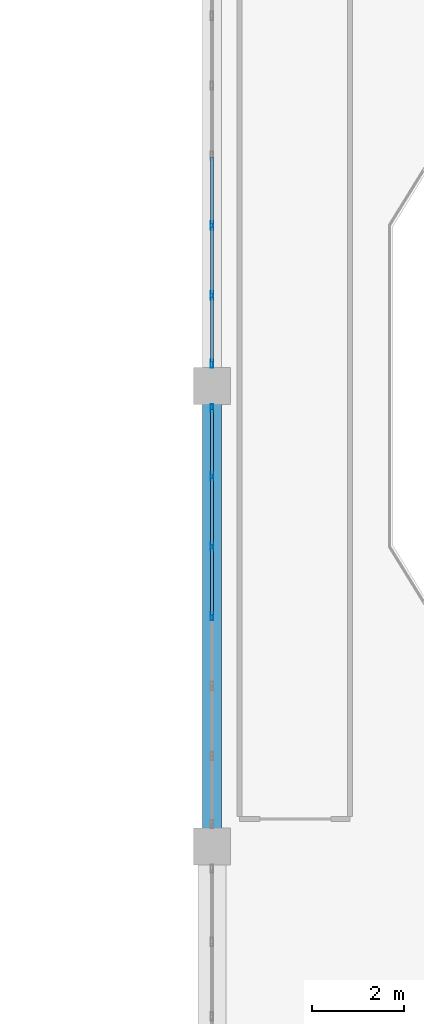
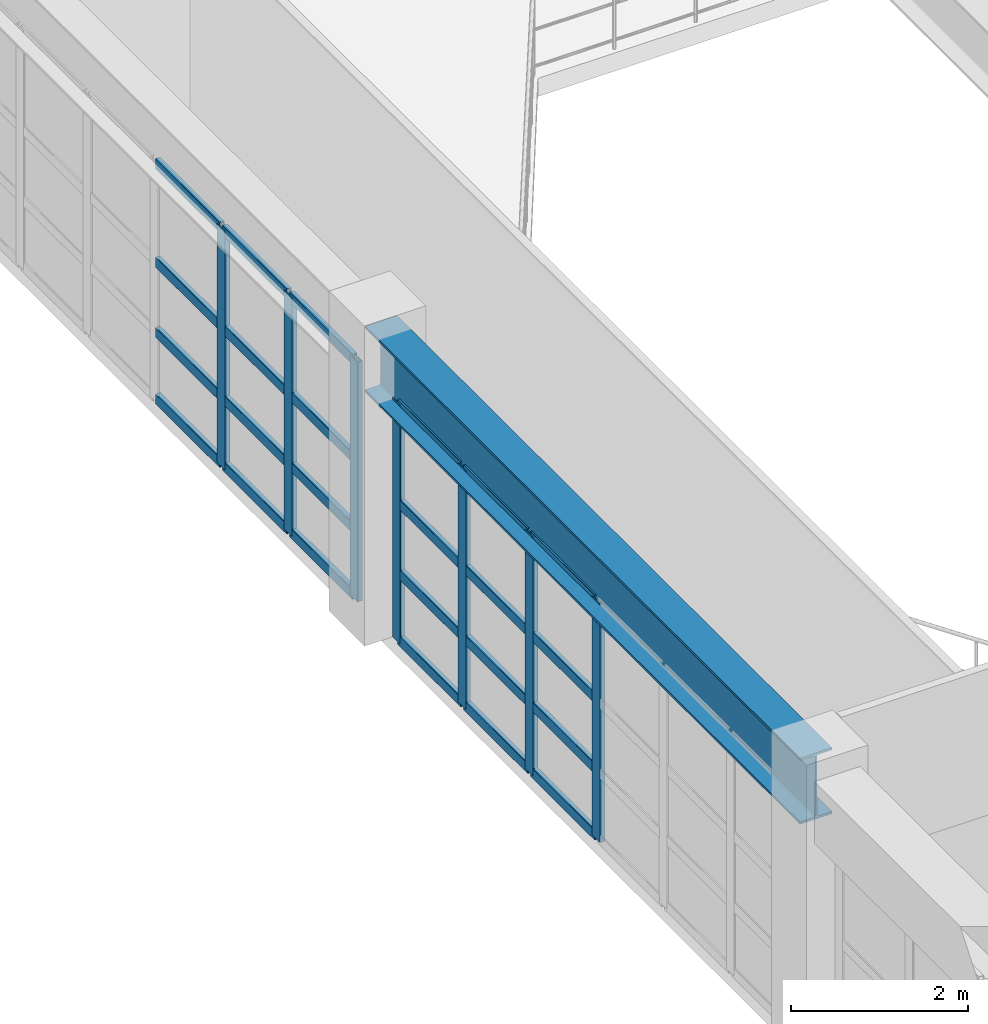
# One storey, part 40 of 133: 31 members, 1 beam, 2 elements without a shape of their own.
"""IFC4 building model written with IfcOpenShell, lengths in metres."""

from ifc_helpers import new_model, si_unit, direction, frame, origin, origin_2d, place, context, subcontext, project, spatial, hollow_rectangle, i_section, extrude, material, material_profile, profile_set, type_object, element, aggregate, save


model = new_model("IFC4")

# Units and contexts
model_context = context("Model", 3, precision=1e-05, world=origin(), true_north=direction((0.0, 1.0)))
body_context = subcontext(model_context, "Body", "Model", "MODEL_VIEW")
ifc_project = project(units=[si_unit("LENGTHUNIT", "METRE"), si_unit("AREAUNIT", "SQUARE_METRE"), si_unit("VOLUMEUNIT", "CUBIC_METRE"), si_unit("PLANEANGLEUNIT", "RADIAN"), si_unit("MASSUNIT", "GRAM", prefix="KILO")], contexts=[model_context])

# Site, building, storey
site_placement = place(None, origin())
site = spatial("IfcSite", under=ifc_project, at=site_placement, CompositionType="ELEMENT")
building_placement = place(site_placement, origin())
building = spatial("IfcBuilding", under=site, at=building_placement, Name="Miravela Opera House", CompositionType="ELEMENT")
storey_placement = place(building_placement, frame((0.0, 0.0, 5.10009765625)))
storey = spatial("IfcBuildingStorey", under=building, at=storey_placement, Name="L01", CompositionType="ELEMENT", Elevation=5.10009765625)

# Curtain wall, members
ifc_material_1 = material(Name="Anodised architectural bronze aluminium 6063-T6", Category="aluminium")
curtain_wall_type = type_object("IfcCurtainWallType", Name="ARC-CW-01", PredefinedType="NOTDEFINED", material=ifc_material_1)
curtain_wall_1_placement = place(storey_placement, origin())
curtain_wall_1 = element("IfcCurtainWall", 1, at=curtain_wall_1_placement, inside=storey, type_object=curtain_wall_type, Name="West Foyer Upper Recessed Glazing CW-L01-004", PredefinedType="NOTDEFINED")
ifc_material_profile_1 = material_profile(ifc_material_1, hollow_rectangle(XDim=0.06494140625, YDim=0.179931640625, WallThickness=0.00390625, InnerFilletRadius=0.001953125, OuterFilletRadius=0.00390625, at=origin_2d()), Name="CWM-65X180")
ifc_profile_set_1 = profile_set([ifc_material_profile_1])
member_type_1 = type_object("IfcMemberType", Name="ARC-CWM-180", PredefinedType="MULLION", material=ifc_profile_set_1)
member_1_placement = place(storey_placement, frame((27.0, 51.0, 0.0), z_axis=(0.0, 0.0, 1.0), x_axis=(-1.0, 0.0, 0.0)))
member_1 = element("IfcMember", 2, at=member_1_placement, type_object=member_type_1, Name="CW-01 mullion 4", PredefinedType="MULLION", context=body_context, shape_type="SweptSolid", body=[
    extrude(hollow_rectangle(XDim=0.06494140625, YDim=0.179931640625, WallThickness=0.00390625, InnerFilletRadius=0.001953125, OuterFilletRadius=0.00390625, at=origin_2d()), origin(), (0.0, 0.0, 1.0), 3.309814453125),
])
member_2_placement = place(storey_placement, frame((27.0, 52.5166015625, 0.0), z_axis=(0.0, 0.0, 1.0), x_axis=(-1.0, 0.0, 0.0)))
member_2 = element("IfcMember", 3, at=member_2_placement, type_object=member_type_1, Name="CW-01 mullion 5", PredefinedType="MULLION", context=body_context, shape_type="SweptSolid", body=[
    extrude(hollow_rectangle(XDim=0.06494140625, YDim=0.179931640625, WallThickness=0.00390625, InnerFilletRadius=0.001953125, OuterFilletRadius=0.00390625, at=origin_2d()), origin(), (0.0, 0.0, 1.0), 3.309814453125),
])
member_3_placement = place(storey_placement, frame((27.0, 54.033447265625, 0.0), z_axis=(0.0, 0.0, 1.0), x_axis=(-1.0, 0.0, 0.0)))
member_3 = element("IfcMember", 4, at=member_3_placement, type_object=member_type_1, Name="CW-01 mullion 6", PredefinedType="MULLION", context=body_context, shape_type="SweptSolid", body=[
    extrude(hollow_rectangle(XDim=0.06494140625, YDim=0.179931640625, WallThickness=0.00390625, InnerFilletRadius=0.001953125, OuterFilletRadius=0.00390625, at=origin_2d()), origin(), (0.0, 0.0, 1.0), 3.309814453125),
])
member_4_placement = place(storey_placement, frame((27.0, 55.517578125, 0.0), z_axis=(0.0, 0.0, 1.0), x_axis=(-1.0, 0.0, 0.0)))
member_4 = element("IfcMember", 5, at=member_4_placement, type_object=member_type_1, Name="CW-01 mullion 7", PredefinedType="MULLION", context=body_context, shape_type="SweptSolid", body=[
    extrude(hollow_rectangle(XDim=0.06494140625, YDim=0.179931640625, WallThickness=0.00390625, InnerFilletRadius=0.001953125, OuterFilletRadius=0.00390625, at=origin_2d()), origin(), (0.0, 0.0, 1.0), 3.309814453125),
])

curtain_wall_2_placement = place(storey_placement, origin())
curtain_wall_2 = element("IfcCurtainWall", 6, at=curtain_wall_2_placement, inside=storey, type_object=curtain_wall_type, Name="West Foyer Upper Recessed Glazing CW-L01-005", PredefinedType="NOTDEFINED")
member_5_placement = place(storey_placement, frame((27.0, 56.482421875, 0.0), z_axis=(0.0, 0.0, 1.0), x_axis=(-1.0, 0.0, 0.0)))
member_5 = element("IfcMember", 7, at=member_5_placement, type_object=member_type_1, Name="CW-01 mullion 1", PredefinedType="MULLION", context=body_context, shape_type="SweptSolid", body=[
    extrude(hollow_rectangle(XDim=0.06494140625, YDim=0.179931640625, WallThickness=0.00390625, InnerFilletRadius=0.001953125, OuterFilletRadius=0.00390625, at=origin_2d()), origin(), (0.0, 0.0, 1.0), 3.309814453125),
])
member_6_placement = place(storey_placement, frame((27.0, 57.966552734375, 0.0), z_axis=(0.0, 0.0, 1.0), x_axis=(-1.0, 0.0, 0.0)))
member_6 = element("IfcMember", 8, at=member_6_placement, type_object=member_type_1, Name="CW-01 mullion 2", PredefinedType="MULLION", context=body_context, shape_type="SweptSolid", body=[
    extrude(hollow_rectangle(XDim=0.06494140625, YDim=0.179931640625, WallThickness=0.00390625, InnerFilletRadius=0.001953125, OuterFilletRadius=0.00390625, at=origin_2d()), origin(), (0.0, 0.0, 1.0), 3.309814453125),
])
member_7_placement = place(storey_placement, frame((27.0, 59.4833984375, 0.0), z_axis=(0.0, 0.0, 1.0), x_axis=(-1.0, 0.0, 0.0)))
member_7 = element("IfcMember", 9, at=member_7_placement, type_object=member_type_1, Name="CW-01 mullion 3", PredefinedType="MULLION", context=body_context, shape_type="SweptSolid", body=[
    extrude(hollow_rectangle(XDim=0.06494140625, YDim=0.179931640625, WallThickness=0.00390625, InnerFilletRadius=0.001953125, OuterFilletRadius=0.00390625, at=origin_2d()), origin(), (0.0, 0.0, 1.0), 3.309814453125),
])

# Member
ifc_material_profile_2 = material_profile(ifc_material_1, hollow_rectangle(XDim=0.06494140625, YDim=0.139892578125, WallThickness=0.00390625, InnerFilletRadius=0.001953125, OuterFilletRadius=0.00390625, at=origin_2d()), Name="CWT-65X140")
ifc_profile_set_2 = profile_set([ifc_material_profile_2])
member_type_2 = type_object("IfcMemberType", Name="ARC-CWT-140", PredefinedType="USERDEFINED", material=ifc_profile_set_2)
member_8_placement = place(storey_placement, frame((27.0, 51.032470703125, 0.032470703125), z_axis=(0.0, 1.0, 0.0), x_axis=(-1.0, 0.0, 0.0)))
member_8 = element("IfcMember", 10, at=member_8_placement, type_object=member_type_2, Name="CW-01 transom 4.1", ObjectType="TRANSOM", PredefinedType="USERDEFINED", context=body_context, shape_type="SweptSolid", body=[
    extrude(hollow_rectangle(XDim=0.06494140625, YDim=0.139892578125, WallThickness=0.00390625, InnerFilletRadius=0.001953125, OuterFilletRadius=0.00390625, at=origin_2d()), origin(), (0.0, 0.0, 1.0), 1.45166015625),
])

member_9_placement = place(storey_placement, frame((27.0, 51.032470703125, 0.949951171875), z_axis=(0.0, 1.0, 0.0), x_axis=(-1.0, 0.0, 0.0)))
member_9 = element("IfcMember", 11, at=member_9_placement, type_object=member_type_2, Name="CW-01 transom 4.2", ObjectType="TRANSOM", PredefinedType="USERDEFINED", context=body_context, shape_type="SweptSolid", body=[
    extrude(hollow_rectangle(XDim=0.06494140625, YDim=0.139892578125, WallThickness=0.00390625, InnerFilletRadius=0.001953125, OuterFilletRadius=0.00390625, at=origin_2d()), origin(), (0.0, 0.0, 1.0), 1.45166015625),
])

member_10_placement = place(storey_placement, frame((27.0, 51.032470703125, 1.919677734375), z_axis=(0.0, 1.0, 0.0), x_axis=(-1.0, 0.0, 0.0)))
member_10 = element("IfcMember", 12, at=member_10_placement, type_object=member_type_2, Name="CW-01 transom 4.3", ObjectType="TRANSOM", PredefinedType="USERDEFINED", context=body_context, shape_type="SweptSolid", body=[
    extrude(hollow_rectangle(XDim=0.06494140625, YDim=0.139892578125, WallThickness=0.00390625, InnerFilletRadius=0.001953125, OuterFilletRadius=0.00390625, at=origin_2d()), origin(), (0.0, 0.0, 1.0), 1.45166015625),
])

member_11_placement = place(storey_placement, frame((27.0, 51.032470703125, 3.27734375), z_axis=(0.0, 1.0, 0.0), x_axis=(-1.0, 0.0, 0.0)))
member_11 = element("IfcMember", 13, at=member_11_placement, type_object=member_type_2, Name="CW-01 transom 4.4", ObjectType="TRANSOM", PredefinedType="USERDEFINED", context=body_context, shape_type="SweptSolid", body=[
    extrude(hollow_rectangle(XDim=0.06494140625, YDim=0.139892578125, WallThickness=0.00390625, InnerFilletRadius=0.001953125, OuterFilletRadius=0.00390625, at=origin_2d()), origin(), (0.0, 0.0, 1.0), 1.45166015625),
])

member_12_placement = place(storey_placement, frame((27.0, 52.549072265625, 0.032470703125), z_axis=(0.0, 1.0, 0.0), x_axis=(-1.0, 0.0, 0.0)))
member_12 = element("IfcMember", 14, at=member_12_placement, type_object=member_type_2, Name="CW-01 transom 5.1", ObjectType="TRANSOM", PredefinedType="USERDEFINED", context=body_context, shape_type="SweptSolid", body=[
    extrude(hollow_rectangle(XDim=0.06494140625, YDim=0.139892578125, WallThickness=0.00390625, InnerFilletRadius=0.001953125, OuterFilletRadius=0.00390625, at=origin_2d()), origin(), (0.0, 0.0, 1.0), 1.45166015625),
])

member_13_placement = place(storey_placement, frame((27.0, 52.549072265625, 0.949951171875), z_axis=(0.0, 1.0, 0.0), x_axis=(-1.0, 0.0, 0.0)))
member_13 = element("IfcMember", 15, at=member_13_placement, type_object=member_type_2, Name="CW-01 transom 5.2", ObjectType="TRANSOM", PredefinedType="USERDEFINED", context=body_context, shape_type="SweptSolid", body=[
    extrude(hollow_rectangle(XDim=0.06494140625, YDim=0.139892578125, WallThickness=0.00390625, InnerFilletRadius=0.001953125, OuterFilletRadius=0.00390625, at=origin_2d()), origin(), (0.0, 0.0, 1.0), 1.45166015625),
])

member_14_placement = place(storey_placement, frame((27.0, 52.549072265625, 1.919677734375), z_axis=(0.0, 1.0, 0.0), x_axis=(-1.0, 0.0, 0.0)))
member_14 = element("IfcMember", 16, at=member_14_placement, type_object=member_type_2, Name="CW-01 transom 5.3", ObjectType="TRANSOM", PredefinedType="USERDEFINED", context=body_context, shape_type="SweptSolid", body=[
    extrude(hollow_rectangle(XDim=0.06494140625, YDim=0.139892578125, WallThickness=0.00390625, InnerFilletRadius=0.001953125, OuterFilletRadius=0.00390625, at=origin_2d()), origin(), (0.0, 0.0, 1.0), 1.45166015625),
])

member_15_placement = place(storey_placement, frame((27.0, 52.549072265625, 3.27734375), z_axis=(0.0, 1.0, 0.0), x_axis=(-1.0, 0.0, 0.0)))
member_15 = element("IfcMember", 17, at=member_15_placement, type_object=member_type_2, Name="CW-01 transom 5.4", ObjectType="TRANSOM", PredefinedType="USERDEFINED", context=body_context, shape_type="SweptSolid", body=[
    extrude(hollow_rectangle(XDim=0.06494140625, YDim=0.139892578125, WallThickness=0.00390625, InnerFilletRadius=0.001953125, OuterFilletRadius=0.00390625, at=origin_2d()), origin(), (0.0, 0.0, 1.0), 1.45166015625),
])

member_16_placement = place(storey_placement, frame((27.0, 54.06591796875, 0.032470703125), z_axis=(0.0, 1.0, 0.0), x_axis=(-1.0, 0.0, 0.0)))
member_16 = element("IfcMember", 18, at=member_16_placement, type_object=member_type_2, Name="CW-01 transom 6.1", ObjectType="TRANSOM", PredefinedType="USERDEFINED", context=body_context, shape_type="SweptSolid", body=[
    extrude(hollow_rectangle(XDim=0.06494140625, YDim=0.139892578125, WallThickness=0.00390625, InnerFilletRadius=0.001953125, OuterFilletRadius=0.00390625, at=origin_2d()), origin(), (0.0, 0.0, 1.0), 1.419189453125),
])

member_17_placement = place(storey_placement, frame((27.0, 54.06591796875, 0.949951171875), z_axis=(0.0, 1.0, 0.0), x_axis=(-1.0, 0.0, 0.0)))
member_17 = element("IfcMember", 19, at=member_17_placement, type_object=member_type_2, Name="CW-01 transom 6.2", ObjectType="TRANSOM", PredefinedType="USERDEFINED", context=body_context, shape_type="SweptSolid", body=[
    extrude(hollow_rectangle(XDim=0.06494140625, YDim=0.139892578125, WallThickness=0.00390625, InnerFilletRadius=0.001953125, OuterFilletRadius=0.00390625, at=origin_2d()), origin(), (0.0, 0.0, 1.0), 1.419189453125),
])

member_18_placement = place(storey_placement, frame((27.0, 54.06591796875, 1.919677734375), z_axis=(0.0, 1.0, 0.0), x_axis=(-1.0, 0.0, 0.0)))
member_18 = element("IfcMember", 20, at=member_18_placement, type_object=member_type_2, Name="CW-01 transom 6.3", ObjectType="TRANSOM", PredefinedType="USERDEFINED", context=body_context, shape_type="SweptSolid", body=[
    extrude(hollow_rectangle(XDim=0.06494140625, YDim=0.139892578125, WallThickness=0.00390625, InnerFilletRadius=0.001953125, OuterFilletRadius=0.00390625, at=origin_2d()), origin(), (0.0, 0.0, 1.0), 1.419189453125),
])

member_19_placement = place(storey_placement, frame((27.0, 54.06591796875, 3.27734375), z_axis=(0.0, 1.0, 0.0), x_axis=(-1.0, 0.0, 0.0)))
member_19 = element("IfcMember", 21, at=member_19_placement, type_object=member_type_2, Name="CW-01 transom 6.4", ObjectType="TRANSOM", PredefinedType="USERDEFINED", context=body_context, shape_type="SweptSolid", body=[
    extrude(hollow_rectangle(XDim=0.06494140625, YDim=0.139892578125, WallThickness=0.00390625, InnerFilletRadius=0.001953125, OuterFilletRadius=0.00390625, at=origin_2d()), origin(), (0.0, 0.0, 1.0), 1.419189453125),
])

aggregate(curtain_wall_1, [member_1, member_2, member_3, member_4, member_8, member_9, member_10, member_11, member_12, member_13, member_14, member_15, member_16, member_17, member_18, member_19])

member_20_placement = place(storey_placement, frame((27.0, 56.514892578125, 0.032470703125), z_axis=(0.0, 1.0, 0.0), x_axis=(-1.0, 0.0, 0.0)))
member_20 = element("IfcMember", 22, at=member_20_placement, type_object=member_type_2, Name="CW-01 transom 1.1", ObjectType="TRANSOM", PredefinedType="USERDEFINED", context=body_context, shape_type="SweptSolid", body=[
    extrude(hollow_rectangle(XDim=0.06494140625, YDim=0.139892578125, WallThickness=0.00390625, InnerFilletRadius=0.001953125, OuterFilletRadius=0.00390625, at=origin_2d()), origin(), (0.0, 0.0, 1.0), 1.419189453125),
])

member_21_placement = place(storey_placement, frame((27.0, 56.514892578125, 0.949951171875), z_axis=(0.0, 1.0, 0.0), x_axis=(-1.0, 0.0, 0.0)))
member_21 = element("IfcMember", 23, at=member_21_placement, type_object=member_type_2, Name="CW-01 transom 1.2", ObjectType="TRANSOM", PredefinedType="USERDEFINED", context=body_context, shape_type="SweptSolid", body=[
    extrude(hollow_rectangle(XDim=0.06494140625, YDim=0.139892578125, WallThickness=0.00390625, InnerFilletRadius=0.001953125, OuterFilletRadius=0.00390625, at=origin_2d()), origin(), (0.0, 0.0, 1.0), 1.419189453125),
])

member_22_placement = place(storey_placement, frame((27.0, 56.514892578125, 1.919677734375), z_axis=(0.0, 1.0, 0.0), x_axis=(-1.0, 0.0, 0.0)))
member_22 = element("IfcMember", 24, at=member_22_placement, type_object=member_type_2, Name="CW-01 transom 1.3", ObjectType="TRANSOM", PredefinedType="USERDEFINED", context=body_context, shape_type="SweptSolid", body=[
    extrude(hollow_rectangle(XDim=0.06494140625, YDim=0.139892578125, WallThickness=0.00390625, InnerFilletRadius=0.001953125, OuterFilletRadius=0.00390625, at=origin_2d()), origin(), (0.0, 0.0, 1.0), 1.419189453125),
])

member_23_placement = place(storey_placement, frame((27.0, 56.514892578125, 3.27734375), z_axis=(0.0, 1.0, 0.0), x_axis=(-1.0, 0.0, 0.0)))
member_23 = element("IfcMember", 25, at=member_23_placement, type_object=member_type_2, Name="CW-01 transom 1.4", ObjectType="TRANSOM", PredefinedType="USERDEFINED", context=body_context, shape_type="SweptSolid", body=[
    extrude(hollow_rectangle(XDim=0.06494140625, YDim=0.139892578125, WallThickness=0.00390625, InnerFilletRadius=0.001953125, OuterFilletRadius=0.00390625, at=origin_2d()), origin(), (0.0, 0.0, 1.0), 1.419189453125),
])

member_24_placement = place(storey_placement, frame((27.0, 57.999267578125, 0.032470703125), z_axis=(0.0, 1.0, 0.0), x_axis=(-1.0, 0.0, 0.0)))
member_24 = element("IfcMember", 26, at=member_24_placement, type_object=member_type_2, Name="CW-01 transom 2.1", ObjectType="TRANSOM", PredefinedType="USERDEFINED", context=body_context, shape_type="SweptSolid", body=[
    extrude(hollow_rectangle(XDim=0.06494140625, YDim=0.139892578125, WallThickness=0.00390625, InnerFilletRadius=0.001953125, OuterFilletRadius=0.00390625, at=origin_2d()), origin(), (0.0, 0.0, 1.0), 1.45166015625),
])

member_25_placement = place(storey_placement, frame((27.0, 57.999267578125, 0.949951171875), z_axis=(0.0, 1.0, 0.0), x_axis=(-1.0, 0.0, 0.0)))
member_25 = element("IfcMember", 27, at=member_25_placement, type_object=member_type_2, Name="CW-01 transom 2.2", ObjectType="TRANSOM", PredefinedType="USERDEFINED", context=body_context, shape_type="SweptSolid", body=[
    extrude(hollow_rectangle(XDim=0.06494140625, YDim=0.139892578125, WallThickness=0.00390625, InnerFilletRadius=0.001953125, OuterFilletRadius=0.00390625, at=origin_2d()), origin(), (0.0, 0.0, 1.0), 1.45166015625),
])

member_26_placement = place(storey_placement, frame((27.0, 57.999267578125, 1.919677734375), z_axis=(0.0, 1.0, 0.0), x_axis=(-1.0, 0.0, 0.0)))
member_26 = element("IfcMember", 28, at=member_26_placement, type_object=member_type_2, Name="CW-01 transom 2.3", ObjectType="TRANSOM", PredefinedType="USERDEFINED", context=body_context, shape_type="SweptSolid", body=[
    extrude(hollow_rectangle(XDim=0.06494140625, YDim=0.139892578125, WallThickness=0.00390625, InnerFilletRadius=0.001953125, OuterFilletRadius=0.00390625, at=origin_2d()), origin(), (0.0, 0.0, 1.0), 1.45166015625),
])

member_27_placement = place(storey_placement, frame((27.0, 57.999267578125, 3.27734375), z_axis=(0.0, 1.0, 0.0), x_axis=(-1.0, 0.0, 0.0)))
member_27 = element("IfcMember", 29, at=member_27_placement, type_object=member_type_2, Name="CW-01 transom 2.4", ObjectType="TRANSOM", PredefinedType="USERDEFINED", context=body_context, shape_type="SweptSolid", body=[
    extrude(hollow_rectangle(XDim=0.06494140625, YDim=0.139892578125, WallThickness=0.00390625, InnerFilletRadius=0.001953125, OuterFilletRadius=0.00390625, at=origin_2d()), origin(), (0.0, 0.0, 1.0), 1.45166015625),
])

member_28_placement = place(storey_placement, frame((27.0, 59.515869140625, 0.032470703125), z_axis=(0.0, 1.0, 0.0), x_axis=(-1.0, 0.0, 0.0)))
member_28 = element("IfcMember", 30, at=member_28_placement, type_object=member_type_2, Name="CW-01 transom 3.1", ObjectType="TRANSOM", PredefinedType="USERDEFINED", context=body_context, shape_type="SweptSolid", body=[
    extrude(hollow_rectangle(XDim=0.06494140625, YDim=0.139892578125, WallThickness=0.00390625, InnerFilletRadius=0.001953125, OuterFilletRadius=0.00390625, at=origin_2d()), origin(), (0.0, 0.0, 1.0), 1.45166015625),
])

member_29_placement = place(storey_placement, frame((27.0, 59.515869140625, 0.949951171875), z_axis=(0.0, 1.0, 0.0), x_axis=(-1.0, 0.0, 0.0)))
member_29 = element("IfcMember", 31, at=member_29_placement, type_object=member_type_2, Name="CW-01 transom 3.2", ObjectType="TRANSOM", PredefinedType="USERDEFINED", context=body_context, shape_type="SweptSolid", body=[
    extrude(hollow_rectangle(XDim=0.06494140625, YDim=0.139892578125, WallThickness=0.00390625, InnerFilletRadius=0.001953125, OuterFilletRadius=0.00390625, at=origin_2d()), origin(), (0.0, 0.0, 1.0), 1.45166015625),
])

member_30_placement = place(storey_placement, frame((27.0, 59.515869140625, 1.919677734375), z_axis=(0.0, 1.0, 0.0), x_axis=(-1.0, 0.0, 0.0)))
member_30 = element("IfcMember", 32, at=member_30_placement, type_object=member_type_2, Name="CW-01 transom 3.3", ObjectType="TRANSOM", PredefinedType="USERDEFINED", context=body_context, shape_type="SweptSolid", body=[
    extrude(hollow_rectangle(XDim=0.06494140625, YDim=0.139892578125, WallThickness=0.00390625, InnerFilletRadius=0.001953125, OuterFilletRadius=0.00390625, at=origin_2d()), origin(), (0.0, 0.0, 1.0), 1.45166015625),
])

member_31_placement = place(storey_placement, frame((27.0, 59.515869140625, 3.27734375), z_axis=(0.0, 1.0, 0.0), x_axis=(-1.0, 0.0, 0.0)))
member_31 = element("IfcMember", 33, at=member_31_placement, type_object=member_type_2, Name="CW-01 transom 3.4", ObjectType="TRANSOM", PredefinedType="USERDEFINED", context=body_context, shape_type="SweptSolid", body=[
    extrude(hollow_rectangle(XDim=0.06494140625, YDim=0.139892578125, WallThickness=0.00390625, InnerFilletRadius=0.001953125, OuterFilletRadius=0.00390625, at=origin_2d()), origin(), (0.0, 0.0, 1.0), 1.45166015625),
])

aggregate(curtain_wall_2, [member_5, member_6, member_7, member_20, member_21, member_22, member_23, member_24, member_25, member_26, member_27, member_28, member_29, member_30, member_31])

# Beam
ifc_material_2 = material(Name="Structural steel ASTM A992 Gr. 50", Category="steel")
ifc_material_profile_3 = material_profile(ifc_material_2, i_section(OverallWidth=0.41796875, OverallDepth=0.912109375, WebThickness=0.019287109375, FlangeThickness=0.031982421875, FilletRadius=0.02392578125, at=origin_2d()), Name="W920X342")
ifc_profile_set_3 = profile_set([ifc_material_profile_3])
beam_type = type_object("IfcBeamType", Name="STR-BM-W920X342", PredefinedType="BEAM", material=ifc_profile_set_3)
beam_placement = place(storey_placement, frame((27.0, 46.080078125, 3.703857421875), z_axis=(0.0, 1.0, 0.0), x_axis=(-1.0, 0.0, 0.0)))
element("IfcBeam", 34, at=beam_placement, inside=storey, type_object=beam_type, Name="Floor Girder L01 4/F-G", PredefinedType="BEAM", context=body_context, shape_type="SweptSolid", body=[
    extrude(i_section(OverallWidth=0.41796875, OverallDepth=0.912109375, WebThickness=0.019287109375, FlangeThickness=0.031982421875, FilletRadius=0.02392578125, at=origin_2d()), origin(), (0.0, 0.0, 1.0), 9.83984375),
])

save(model, "model.ifc")
